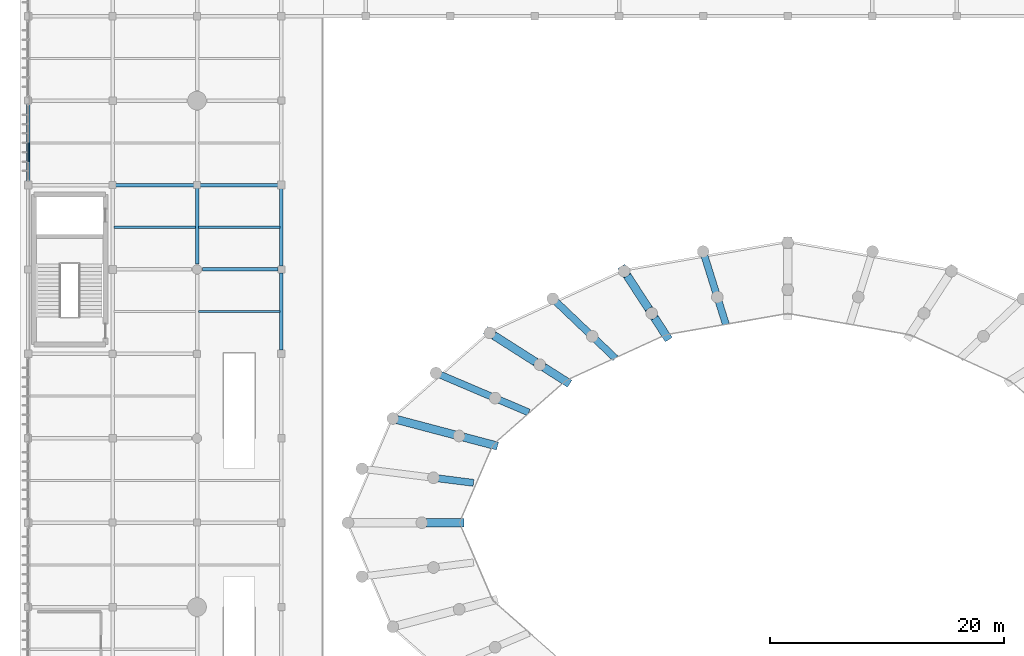
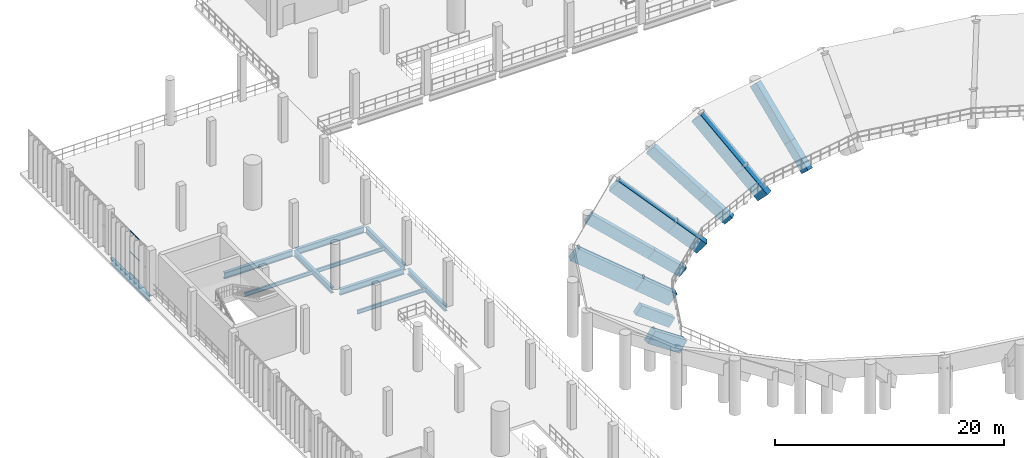
# One storey, part 40 of 105: 24 beams, 3 members, 1 element without a shape of its own.
"""IFC4 building model written with IfcOpenShell, lengths in metres."""

from ifc_helpers import new_model, si_unit, direction, frame, origin, origin_2d, place, context, subcontext, project, spatial, rectangle, hollow_rectangle, i_section, extrude, material, material_profile, profile_set, type_object, element, aggregate, save


model = new_model("IFC4")

# Units and contexts
model_context = context("Model", 3, precision=1e-05, world=origin(), true_north=direction((0.0, 1.0)))
body_context = subcontext(model_context, "Body", "Model", "MODEL_VIEW")
ifc_project = project(units=[si_unit("LENGTHUNIT", "METRE"), si_unit("AREAUNIT", "SQUARE_METRE"), si_unit("VOLUMEUNIT", "CUBIC_METRE"), si_unit("PLANEANGLEUNIT", "RADIAN"), si_unit("MASSUNIT", "GRAM", prefix="KILO")], contexts=[model_context])

# Site, building, storey
site_placement = place(None, origin())
site = spatial("IfcSite", under=ifc_project, at=site_placement, CompositionType="ELEMENT")
building_placement = place(site_placement, origin())
building = spatial("IfcBuilding", under=site, at=building_placement, Name="Qandorah Velis Arena", CompositionType="ELEMENT")
storey_placement = place(building_placement, frame((0.0, 0.0, 13.800048828125)))
storey = spatial("IfcBuildingStorey", under=building, at=storey_placement, Name="L03", CompositionType="ELEMENT", Elevation=13.800048828125)

# Curtain wall, members
ifc_material_1 = material(Name="Solar-control low-E double glazing", Category="glass")
curtain_wall_type = type_object("IfcCurtainWallType", Name="ARC-CW-SYS04", PredefinedType="USERDEFINED", material=ifc_material_1)
curtain_wall_placement = place(storey_placement, origin())
curtain_wall = element("IfcCurtainWall", 1, at=curtain_wall_placement, inside=storey, type_object=curtain_wall_type, Name="Unitised curtain wall L03-028", ObjectType="UNITISED CURTAIN WALL", PredefinedType="USERDEFINED")
ifc_material_2 = material(Name="Champagne-bronze anodized aluminium 6063-T6", Category="aluminium")
ifc_material_profile_1 = material_profile(ifc_material_2, hollow_rectangle(XDim=0.054931640625, YDim=0.10009765625, WallThickness=0.0029296875, at=origin_2d()), Name="ALU TRANSOM 55x100")
ifc_profile_set_1 = profile_set([ifc_material_profile_1], Name="Champagne-bronze anodized aluminium 6063-T6")
member_type = type_object("IfcMemberType", Name="ARC-CWT-100", PredefinedType="USERDEFINED", material=ifc_profile_set_1)
member_1_placement = place(storey_placement, frame((0.0, 95.5966796875, 0.02734375), z_axis=(0.0, 1.0, 0.0), x_axis=(-1.0, 0.0, 0.0)))
member_1 = element("IfcMember", 2, at=member_1_placement, type_object=member_type, Name="CW04 transom 2.1", ObjectType="TRANSOM", PredefinedType="USERDEFINED", context=body_context, shape_type="SweptSolid", body=[
    extrude(hollow_rectangle(XDim=0.054931640625, YDim=0.10009765625, WallThickness=0.0029296875, at=origin_2d()), origin(), (0.0, 0.0, 1.0), 1.600341796875),
])
member_2_placement = place(storey_placement, frame((0.0, 95.5966796875, 2.264892578125), z_axis=(0.0, 1.0, 0.0), x_axis=(-1.0, 0.0, 0.0)))
member_2 = element("IfcMember", 3, at=member_2_placement, type_object=member_type, Name="CW04 transom 2.2", ObjectType="TRANSOM", PredefinedType="USERDEFINED", context=body_context, shape_type="SweptSolid", body=[
    extrude(hollow_rectangle(XDim=0.054931640625, YDim=0.10009765625, WallThickness=0.0029296875, at=origin_2d()), origin(), (0.0, 0.0, 1.0), 1.600341796875),
])
member_3_placement = place(storey_placement, frame((0.0, 95.5966796875, 4.50244140625), z_axis=(0.0, 1.0, 0.0), x_axis=(-1.0, 0.0, 0.0)))
member_3 = element("IfcMember", 4, at=member_3_placement, type_object=member_type, Name="CW04 transom 2.3", ObjectType="TRANSOM", PredefinedType="USERDEFINED", context=body_context, shape_type="SweptSolid", body=[
    extrude(hollow_rectangle(XDim=0.054931640625, YDim=0.10009765625, WallThickness=0.0029296875, at=origin_2d()), origin(), (0.0, 0.0, 1.0), 1.600341796875),
])
aggregate(curtain_wall, [member_1, member_2, member_3])

# Beams
ifc_material_3 = material(Name="Steel S355", Category="steel")
ifc_material_profile_2 = material_profile(ifc_material_3, i_section(OverallWidth=0.300048828125, OverallDepth=0.60009765625, WebThickness=0.015380859375, FlangeThickness=0.030029296875, FilletRadius=0.027099609375, at=origin_2d()), Name="HEB 600")
ifc_profile_set_2 = profile_set([ifc_material_profile_2], Name="Steel S355")
beam_type_1 = type_object("IfcBeamType", Name="STR-BM-HEB600", PredefinedType="BEAM", material=ifc_profile_set_2)
beam_1_placement = place(storey_placement, frame((0.0, 93.75, -0.6201171875), z_axis=(0.0, 1.0, 0.0), x_axis=(-1.0, 0.0, 0.0)))
element("IfcBeam", 5, at=beam_1_placement, inside=storey, type_object=beam_type_1, Name="Primary floor girder L03 Y-189", PredefinedType="BEAM", context=body_context, shape_type="SweptSolid", body=[
    extrude(i_section(OverallWidth=0.300048828125, OverallDepth=0.60009765625, WebThickness=0.015380859375, FlangeThickness=0.030029296875, FilletRadius=0.027099609375, at=origin_2d()), origin(), (0.0, 0.0, 1.0), 6.72509765625),
])
beam_2_placement = place(storey_placement, frame((14.39990234375, 86.85009765625, -0.6201171875), z_axis=(0.0, 1.0, 0.0), x_axis=(-1.0, 0.0, 0.0)))
element("IfcBeam", 6, at=beam_2_placement, inside=storey, type_object=beam_type_1, Name="Primary floor girder L03 Y-216", PredefinedType="BEAM", context=body_context, shape_type="SweptSolid", body=[
    extrude(i_section(OverallWidth=0.300048828125, OverallDepth=0.60009765625, WebThickness=0.015380859375, FlangeThickness=0.030029296875, FilletRadius=0.027099609375, at=origin_2d()), origin(), (0.0, 0.0, 1.0), 6.599853515625),
])
beam_3_placement = place(storey_placement, frame((21.60009765625, 79.52490234375, -0.6201171875), z_axis=(0.0, 1.0, 0.0), x_axis=(-1.0, 0.0, 0.0)))
element("IfcBeam", 7, at=beam_3_placement, inside=storey, type_object=beam_type_1, Name="Primary floor girder L03 Y-229", PredefinedType="BEAM", context=body_context, shape_type="SweptSolid", body=[
    extrude(i_section(OverallWidth=0.300048828125, OverallDepth=0.60009765625, WebThickness=0.015380859375, FlangeThickness=0.030029296875, FilletRadius=0.027099609375, at=origin_2d()), origin(), (0.0, 0.0, 1.0), 6.5751953125),
])
beam_4_placement = place(storey_placement, frame((21.60009765625, 86.699951171875, -0.6201171875), z_axis=(0.0, 1.0, 0.0), x_axis=(-1.0, 0.0, 0.0)))
element("IfcBeam", 8, at=beam_4_placement, inside=storey, type_object=beam_type_1, Name="Primary floor girder L03 Y-230", PredefinedType="BEAM", context=body_context, shape_type="SweptSolid", body=[
    extrude(i_section(OverallWidth=0.300048828125, OverallDepth=0.60009765625, WebThickness=0.015380859375, FlangeThickness=0.030029296875, FilletRadius=0.027099609375, at=origin_2d()), origin(), (0.0, 0.0, 1.0), 6.75),
])
ifc_material_profile_3 = material_profile(ifc_material_3, i_section(OverallWidth=0.300048828125, OverallDepth=0.64990234375, WebThickness=0.01611328125, FlangeThickness=0.031005859375, FilletRadius=0.027099609375, at=origin_2d()), Name="HEB 650")
ifc_profile_set_3 = profile_set([ifc_material_profile_3], Name="Steel S355")
beam_type_2 = type_object("IfcBeamType", Name="STR-BM-HEB650", PredefinedType="BEAM", material=ifc_profile_set_3)
beam_5_placement = place(storey_placement, frame((14.85009765625, 86.39990234375, -0.64501953125), z_axis=(1.0, 0.0, 0.0), x_axis=(0.0, 1.0, 0.0)))
element("IfcBeam", 9, at=beam_5_placement, inside=storey, type_object=beam_type_2, Name="Primary floor girder L03 X-106", PredefinedType="BEAM", context=body_context, shape_type="SweptSolid", body=[
    extrude(i_section(OverallWidth=0.300048828125, OverallDepth=0.64990234375, WebThickness=0.01611328125, FlangeThickness=0.031005859375, FilletRadius=0.027099609375, at=origin_2d()), origin(), (0.0, 0.0, 1.0), 6.449951171875),
])
for number, where, z_axis, x_axis, name in (
    (10, (7.35009765625, 93.60009765625, -0.64501953125), (1.0, 0.0, 0.0), (0.0, 1.0, 0.0), "Primary floor girder L03 X-112"),
    (11, (14.550048828125, 93.60009765625, -0.64501953125), (1.0, 0.0, 0.0), (0.0, 1.0, 0.0), "Primary floor girder L03 X-113"),
):
    element("IfcBeam", number, at=place(storey_placement, frame(where, z_axis=z_axis, x_axis=x_axis)), inside=storey, type_object=beam_type_2, Name=name, PredefinedType="BEAM", context=body_context, shape_type="SweptSolid", body=[
        extrude(i_section(OverallWidth=0.300048828125, OverallDepth=0.64990234375, WebThickness=0.01611328125, FlangeThickness=0.031005859375, FilletRadius=0.027099609375, at=origin_2d()), origin(), (0.0, 0.0, 1.0), 6.89990234375),
    ])
ifc_material_profile_4 = material_profile(ifc_material_3, i_section(OverallWidth=0.179931640625, OverallDepth=0.39990234375, WebThickness=0.008544921875, FlangeThickness=0.013427734375, FilletRadius=0.02099609375, at=origin_2d()), Name="IPE 400")
ifc_profile_set_4 = profile_set([ifc_material_profile_4], Name="Steel S355")
beam_type_3 = type_object("IfcBeamType", Name="STR-JST-IPE400", PredefinedType="JOIST", material=ifc_profile_set_4)
beam_6_placement = place(storey_placement, frame((7.3349609375, 90.0, -0.52001953125), z_axis=(1.0, 0.0, 0.0), x_axis=(0.0, 1.0, 0.0)))
element("IfcBeam", 12, at=beam_6_placement, inside=storey, type_object=beam_type_3, Name="Secondary floor joist L03-021", PredefinedType="JOIST", context=body_context, shape_type="SweptSolid", body=[
    extrude(i_section(OverallWidth=0.179931640625, OverallDepth=0.39990234375, WebThickness=0.008544921875, FlangeThickness=0.013427734375, FilletRadius=0.02099609375, at=origin_2d()), origin(), (0.0, 0.0, 1.0), 6.929931640625),
])
for number, where, z_axis, x_axis, name in (
    (13, (14.534912109375, 82.800048828125, -0.52001953125), (1.0, 0.0, 0.0), (0.0, 1.0, 0.0), "Secondary floor joist L03-032"),
    (14, (14.534912109375, 90.0, -0.52001953125), (1.0, 0.0, 0.0), (0.0, 1.0, 0.0), "Secondary floor joist L03-033"),
):
    element("IfcBeam", number, at=place(storey_placement, frame(where, z_axis=z_axis, x_axis=x_axis)), inside=storey, type_object=beam_type_3, Name=name, PredefinedType="JOIST", context=body_context, shape_type="SweptSolid", body=[
        extrude(i_section(OverallWidth=0.179931640625, OverallDepth=0.39990234375, WebThickness=0.008544921875, FlangeThickness=0.013427734375, FilletRadius=0.02099609375, at=origin_2d()), origin(), (0.0, 0.0, 1.0), 6.93017578125),
    ])
ifc_material_4 = material(Name="Concrete C40/50", Category="concrete")
ifc_material_profile_5 = material_profile(ifc_material_4, rectangle(XDim=0.60009765625, YDim=1.050048828125, at=origin_2d()), Name="RC RAKER 600x1050")
ifc_profile_set_5 = profile_set([ifc_material_profile_5], Name="Concrete C40/50")
beam_type_4 = type_object("IfcBeamType", Name="STR-RAK-600X1050", PredefinedType="USERDEFINED", material=ifc_profile_set_5)
beam_7_placement = place(storey_placement, frame((58.78759765625, 84.04638671875, 1.40966796875), z_axis=(0.206573405548, -0.661278882091, -0.721136372832), x_axis=(0.954511305053, 0.29817472818, 0.0)))
element("IfcBeam", 15, at=beam_7_placement, inside=storey, type_object=beam_type_4, Name="Upper bowl cantilever raker RB-UC05.2", ObjectType="RAKER BEAM", PredefinedType="USERDEFINED", context=body_context, shape_type="SweptSolid", body=[
    extrude(rectangle(XDim=0.60009765625, YDim=1.050048828125, at=origin_2d()), origin(), (0.0, 0.0, 1.0), 3.001953125),
])
beam_8_placement = place(storey_placement, frame((58.78759765625, 84.04638671875, 1.40966796875), z_axis=(-0.206550912027, 0.661303775295, 0.721119988297), x_axis=(-0.954523739254, -0.298134921136, 0.0)))
element("IfcBeam", 16, at=beam_8_placement, inside=storey, type_object=beam_type_4, Name="Upper bowl back-span raker RB-UB05.2", ObjectType="RAKER BEAM", PredefinedType="USERDEFINED", context=body_context, shape_type="SweptSolid", body=[
    extrude(rectangle(XDim=0.60009765625, YDim=1.050048828125, at=origin_2d()), origin(), (0.0, 0.0, 1.0), 5.873291015625),
])
beam_9_placement = place(storey_placement, frame((48.114013671875, 80.701171875, 1.40966796875), z_axis=(0.535239742941, -0.510106482207, -0.673282848724), x_axis=(0.689906434982, 0.723898550192, 0.0)))
element("IfcBeam", 17, at=beam_9_placement, inside=storey, type_object=beam_type_4, Name="Upper bowl cantilever raker RB-UC06.2", ObjectType="RAKER BEAM", PredefinedType="USERDEFINED", context=body_context, shape_type="SweptSolid", body=[
    extrude(rectangle(XDim=0.60009765625, YDim=1.050048828125, at=origin_2d()), origin(), (0.0, 0.0, 1.0), 3.21533203125),
])
beam_10_placement = place(storey_placement, frame((48.114013671875, 80.701171875, 1.40966796875), z_axis=(-0.535269350215, 0.510081574092, 0.6732781821), x_axis=(-0.689868782557, -0.723934432703, 0.0)))
element("IfcBeam", 18, at=beam_10_placement, inside=storey, type_object=beam_type_4, Name="Upper bowl back-span raker RB-UB06.2", ObjectType="RAKER BEAM", PredefinedType="USERDEFINED", context=body_context, shape_type="SweptSolid", body=[
    extrude(rectangle(XDim=0.60009765625, YDim=1.050048828125, at=origin_2d()), origin(), (0.0, 0.0, 1.0), 6.29052734375),
])
beam_11_placement = place(storey_placement, frame((39.82763671875, 75.4248046875, 1.40966796875), z_axis=(0.72790074702, -0.309651047642, -0.611781604154), x_axis=(0.391454600129, 0.920197422317, 0.0)))
element("IfcBeam", 19, at=beam_11_placement, inside=storey, type_object=beam_type_4, Name="Upper bowl cantilever raker RB-UC07.2", ObjectType="RAKER BEAM", PredefinedType="USERDEFINED", context=body_context, shape_type="SweptSolid", body=[
    extrude(rectangle(XDim=0.60009765625, YDim=1.050048828125, at=origin_2d()), origin(), (0.0, 0.0, 1.0), 3.53857421875),
])
beam_12_placement = place(storey_placement, frame((39.82763671875, 75.4248046875, 1.40966796875), z_axis=(-0.727894225568, 0.309692703306, 0.611768277949), x_axis=(-0.391502159472, -0.920177188985, 0.0)))
element("IfcBeam", 20, at=beam_12_placement, inside=storey, type_object=beam_type_4, Name="Upper bowl back-span raker RB-UB07.2", ObjectType="RAKER BEAM", PredefinedType="USERDEFINED", context=body_context, shape_type="SweptSolid", body=[
    extrude(rectangle(XDim=0.60009765625, YDim=1.050048828125, at=origin_2d()), origin(), (0.0, 0.0, 1.0), 6.923095703125),
])
beam_13_placement = place(storey_placement, frame((34.573974609375, 68.62841796875, 1.40966796875), z_axis=(0.816967827548, -0.103520553291, -0.567315665038), x_axis=(0.125707954968, 0.992067291094, 0.0)))
element("IfcBeam", 21, at=beam_13_placement, inside=storey, type_object=beam_type_4, Name="Upper bowl cantilever raker RB-UC08.2", ObjectType="RAKER BEAM", PredefinedType="USERDEFINED", context=body_context, shape_type="SweptSolid", body=[
    extrude(rectangle(XDim=0.60009765625, YDim=1.050048828125, at=origin_2d()), origin(), (0.0, 0.0, 1.0), 3.81591796875),
])
ifc_material_profile_6 = material_profile(ifc_material_4, rectangle(XDim=0.699951171875, YDim=1.35009765625, at=origin_2d()), Name="RC RAKER 700x1350")
ifc_profile_set_6 = profile_set([ifc_material_profile_6], Name="Concrete C40/50")
beam_type_5 = type_object("IfcBeamType", Name="STR-RAK-700X1350", PredefinedType="USERDEFINED", material=ifc_profile_set_6)
beam_14_placement = place(storey_placement, frame((53.185546875, 82.654541015625, 1.259765625), z_axis=(0.388352010892, -0.597093195711, -0.70189916033), x_axis=(0.838288697061, 0.545226613785, 0.0)))
element("IfcBeam", 22, at=beam_14_placement, inside=storey, type_object=beam_type_5, Name="Upper bowl cantilever raker RB-UC06.1", ObjectType="RAKER BEAM", PredefinedType="USERDEFINED", context=body_context, shape_type="SweptSolid", body=[
    extrude(rectangle(XDim=0.699951171875, YDim=1.35009765625, at=origin_2d()), origin(), (0.0, 0.0, 1.0), 3.084228515625),
])
beam_15_placement = place(storey_placement, frame((53.185546875, 82.654541015625, 1.259765625), z_axis=(-0.388422918927, 0.597078855688, 0.701872122357), x_axis=(-0.83823720972, -0.545305767657, 0.0)))
element("IfcBeam", 23, at=beam_15_placement, inside=storey, type_object=beam_type_5, Name="Upper bowl back-span raker RB-UB06.1", ObjectType="RAKER BEAM", PredefinedType="USERDEFINED", context=body_context, shape_type="SweptSolid", body=[
    extrude(rectangle(XDim=0.699951171875, YDim=1.35009765625, at=origin_2d()), origin(), (0.0, 0.0, 1.0), 6.033935546875),
])
beam_16_placement = place(storey_placement, frame((43.64013671875, 78.2734375, 1.259765625), z_axis=(0.646924820526, -0.411936019514, -0.641714104889), x_axis=(0.537113598348, 0.843509918418, 0.0)))
element("IfcBeam", 24, at=beam_16_placement, inside=storey, type_object=beam_type_5, Name="Upper bowl cantilever raker RB-UC07.1", ObjectType="RAKER BEAM", PredefinedType="USERDEFINED", context=body_context, shape_type="SweptSolid", body=[
    extrude(rectangle(XDim=0.699951171875, YDim=1.35009765625, at=origin_2d()), origin(), (0.0, 0.0, 1.0), 3.37353515625),
])
beam_17_placement = place(storey_placement, frame((43.64013671875, 78.2734375, 1.259765625), z_axis=(-0.646935324417, 0.411968592146, 0.641682604647), x_axis=(-0.53713761056, -0.843494627915, 0.0)))
element("IfcBeam", 25, at=beam_17_placement, inside=storey, type_object=beam_type_5, Name="Upper bowl back-span raker RB-UB07.1", ObjectType="RAKER BEAM", PredefinedType="USERDEFINED", context=body_context, shape_type="SweptSolid", body=[
    extrude(rectangle(XDim=0.699951171875, YDim=1.35009765625, at=origin_2d()), origin(), (0.0, 0.0, 1.0), 6.60009765625),
])
beam_18_placement = place(storey_placement, frame((36.760009765625, 72.195556640625, 1.259765625), z_axis=(0.783300510967, -0.206570217479, -0.586318219715), x_axis=(0.254999514565, 0.96694118103, 0.0)))
element("IfcBeam", 26, at=beam_18_placement, inside=storey, type_object=beam_type_5, Name="Upper bowl cantilever raker RB-UC08.1", ObjectType="RAKER BEAM", PredefinedType="USERDEFINED", context=body_context, shape_type="SweptSolid", body=[
    extrude(rectangle(XDim=0.699951171875, YDim=1.35009765625, at=origin_2d()), origin(), (0.0, 0.0, 1.0), 3.692138671875),
])
beam_19_placement = place(storey_placement, frame((36.760009765625, 72.195556640625, 1.259765625), z_axis=(-0.783306445378, 0.206608228365, 0.586296897997), x_axis=(-0.255041578452, -0.96693008706, 0.0)))
element("IfcBeam", 27, at=beam_19_placement, inside=storey, type_object=beam_type_5, Name="Upper bowl back-span raker RB-UB08.1", ObjectType="RAKER BEAM", PredefinedType="USERDEFINED", context=body_context, shape_type="SweptSolid", body=[
    extrude(rectangle(XDim=0.699951171875, YDim=1.35009765625, at=origin_2d()), origin(), (0.0, 0.0, 1.0), 7.223388671875),
])
beam_20_placement = place(storey_placement, frame((33.580078125, 64.800048828125, 1.259765625), z_axis=(0.829885266629, 0.0, -0.55793408592), x_axis=(0.0, 1.0, 0.0)))
element("IfcBeam", 28, at=beam_20_placement, inside=storey, type_object=beam_type_5, Name="Upper bowl cantilever raker RB-UC09.1", ObjectType="RAKER BEAM", PredefinedType="USERDEFINED", context=body_context, shape_type="SweptSolid", body=[
    extrude(rectangle(XDim=0.699951171875, YDim=1.35009765625, at=origin_2d()), origin(), (0.0, 0.0, 1.0), 3.880126953125),
])

save(model, "model.ifc")
